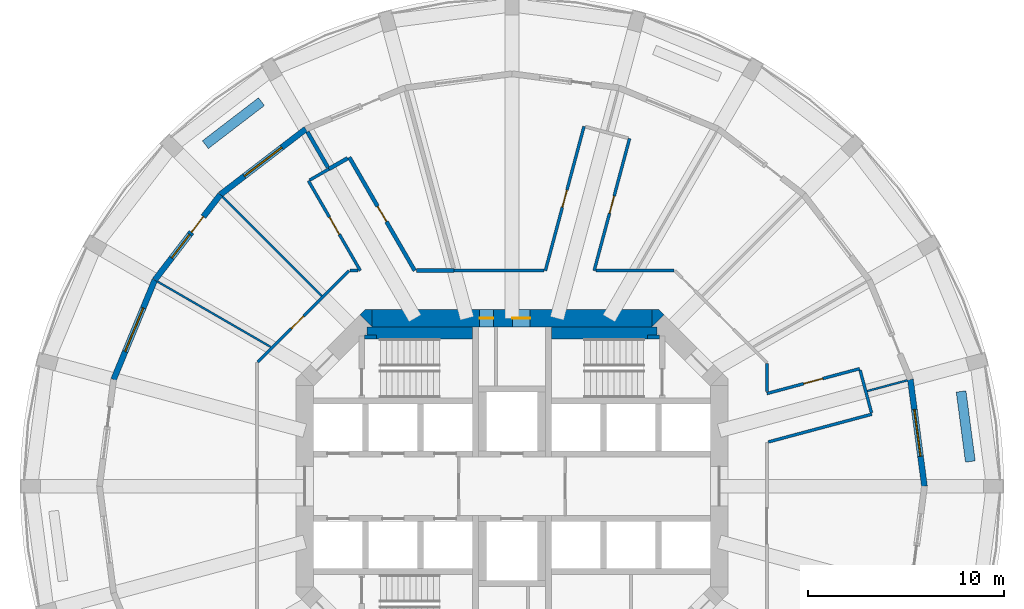
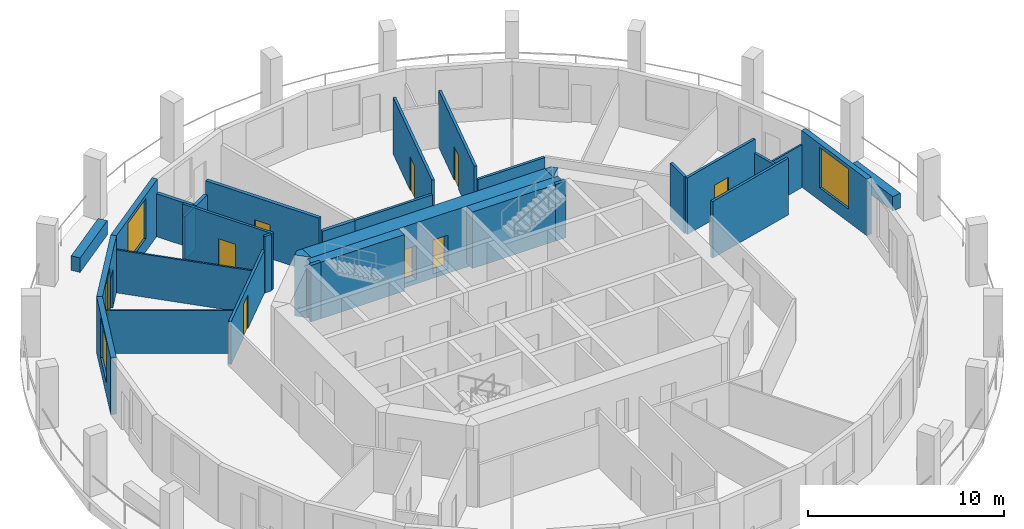
# One storey, part 5 of 8: 32 walls, 9 doors, 4 windows, 13 openings.
"""IFC4 building model written with IfcOpenShell, lengths in metres."""

from ifc_helpers import new_model, si_unit, direction, frame, frame_2d, origin, place, context, subcontext, project, spatial, polyline, rectangle, outline, extrude, material, layer, layer_set, type_object, element, fill, save


model = new_model("IFC4")

# Units and contexts
model_context = context("Model", 3, precision=1e-05, world=origin(), true_north=direction((0.0, 1.0)))
body_context = subcontext(model_context, "Body", "Model", "MODEL_VIEW")
ifc_project = project(units=[si_unit("LENGTHUNIT", "METRE"), si_unit("AREAUNIT", "SQUARE_METRE"), si_unit("VOLUMEUNIT", "CUBIC_METRE"), si_unit("PLANEANGLEUNIT", "RADIAN"), si_unit("MASSUNIT", "GRAM", prefix="KILO")], contexts=[model_context])

# Site, building, storey
site_placement = place(None, origin())
site = spatial("IfcSite", under=ifc_project, at=site_placement, CompositionType="ELEMENT")
building_placement = place(site_placement, origin())
building = spatial("IfcBuilding", under=site, at=building_placement, Name="Torre Triforio", CompositionType="ELEMENT")
storey_placement = place(building_placement, frame((0.0, 0.0, 127.60009765625)))
storey = spatial("IfcBuildingStorey", under=building, at=storey_placement, Name="L28", CompositionType="ELEMENT", Elevation=127.60009765625)

# Wall, openings, doors
ifc_material_1 = material(Name="Concrete C60", Category="concrete")
ifc_layer_1 = layer(ifc_material_1, 0.89990234375)
ifc_layer_set_1 = layer_set([ifc_layer_1], Name="Concrete C60")
wall_type_1 = type_object("IfcWallType", Name="Core wall 900 mm C60 EI 120", PredefinedType="SHEAR", material=ifc_layer_set_1)
wall_1_placement = place(storey_placement, frame((-7.1298828125, 8.550048828125, -0.280029296875), z_axis=(0.0, 0.0, 1.0), x_axis=(1.0, 0.0, 0.0)))
wall_1 = element("IfcWall", 1, at=wall_1_placement, inside=storey, type_object=wall_type_1, Name="Core wall", PredefinedType="SHEAR", context=body_context, shape_type="SweptSolid", body=[
    extrude(rectangle(XDim=14.259765625, YDim=0.89990234375, at=frame_2d((7.1298828125, 0.0))), origin(), (0.0, 0.0, 1.0), 3.800048828125),
])
opening_1_placement = place(wall_1_placement, frame((5.47998046875, 0.0, 0.280029296875)))
opening_1 = element("IfcOpeningElement", 2, at=opening_1_placement, cuts=wall_1, Name="Opening RISER-N", PredefinedType="OPENING", context=body_context, shape_type="SweptSolid", body=[
    extrude(rectangle(XDim=0.699951171875, YDim=2.10009765625, at=frame_2d((0.35009765625, 1.050048828125))), frame((0.0, 0.4599609375, 0.0), z_axis=(0.0, -1.0, 0.0), x_axis=(1.0, 0.0, 0.0)), (0.0, 0.0, 1.0), 0.919921875),
])
opening_2_placement = place(wall_1_placement, frame((7.155029296875, 0.0, 0.280029296875)))
opening_2 = element("IfcOpeningElement", 3, at=opening_2_placement, cuts=wall_1, Name="Opening NE-01", PredefinedType="OPENING", context=body_context, shape_type="SweptSolid", body=[
    extrude(rectangle(XDim=0.89990234375, YDim=2.10009765625, at=frame_2d((0.449951171875, 1.050048828125))), frame((0.0, 0.4599609375, 0.0), z_axis=(0.0, -1.0, 0.0), x_axis=(1.0, 0.0, 0.0)), (0.0, 0.0, 1.0), 0.919921875),
])
ifc_material_2 = material(Name="Hollow metal fire door leaf")
door_type_1 = type_object("IfcDoorType", Name="Riser door 700 x 2100 EI 60", OperationType="NOTDEFINED", PredefinedType="DOOR", material=ifc_material_2)
door_1_placement = place(opening_1_placement, origin())
door_1 = element("IfcDoor", 4, at=door_1_placement, inside=storey, type_object=door_type_1, Name="Core door RISER-N", OperationType="SINGLE_SWING_RIGHT", OverallHeight=2.10009765625, OverallWidth=0.699951171875, PredefinedType="DOOR", context=body_context, shape_type="SweptSolid", body=[
    extrude(rectangle(XDim=0.699951171875, YDim=2.10009765625, at=frame_2d((0.35009765625, 1.050048828125))), frame((0.0, 0.02490234375, 0.0), z_axis=(0.0, -1.0, 0.0), x_axis=(1.0, 0.0, 0.0)), (0.0, 0.0, 1.0), 0.050048828125),
])
fill(opening_1, door_1)
door_type_2 = type_object("IfcDoorType", Name="Room door 900 x 2100 EI 60", OperationType="NOTDEFINED", PredefinedType="DOOR", material=ifc_material_2)
door_2_placement = place(opening_2_placement, origin())
door_2 = element("IfcDoor", 5, at=door_2_placement, inside=storey, type_object=door_type_2, Name="Core door NE-01", OperationType="SINGLE_SWING_RIGHT", OverallHeight=2.10009765625, OverallWidth=0.89990234375, PredefinedType="DOOR", context=body_context, shape_type="SweptSolid", body=[
    extrude(rectangle(XDim=0.89990234375, YDim=2.10009765625, at=frame_2d((0.449951171875, 1.050048828125))), frame((0.0, 0.02490234375, 0.0), z_axis=(0.0, -1.0, 0.0), x_axis=(1.0, 0.0, 0.0)), (0.0, 0.0, 1.0), 0.050048828125),
])
fill(opening_2, door_2)

# Walls
wall_2_placement = place(storey_placement, frame((0.0, 0.0, -0.280029296875)))
element("IfcWall", 6, at=wall_2_placement, inside=storey, type_object=wall_type_1, Name="Core wall", PredefinedType="SHEAR", context=body_context, shape_type="SweptSolid", body=[
    extrude(outline(polyline([(-7.472900390625, 9.0), (-7.1298828125, 9.0), (-7.1298828125, 8.1298828125), (-7.736328125, 8.736328125), (-7.472900390625, 9.0)])), origin(), (0.0, 0.0, 1.0), 3.800048828125),
])
wall_3_placement = place(storey_placement, frame((0.0, 0.0, -0.280029296875)))
element("IfcWall", 7, at=wall_3_placement, inside=storey, type_object=wall_type_1, Name="Core wall", PredefinedType="SHEAR", context=body_context, shape_type="SweptSolid", body=[
    extrude(outline(polyline([(7.472900390625, 9.0), (7.736328125, 8.736328125), (7.1298828125, 8.1298828125), (7.1298828125, 9.0), (7.472900390625, 9.0)])), origin(), (0.0, 0.0, 1.0), 3.800048828125),
])

# Wall, opening, door
ifc_material_3 = material(Name="Plasterboard on metal studs")
ifc_layer_2 = layer(ifc_material_3, 0.14990234375)
ifc_layer_set_2 = layer_set([ifc_layer_2], Name="Plasterboard on metal studs")
wall_type_2 = type_object("IfcWallType", Name="Corridor and tenancy wall 150 mm EI 60", PredefinedType="PARTITIONING", material=ifc_layer_set_2)
wall_4_placement = place(storey_placement, frame((-12.93798828125, 6.327880859375, 0.0), z_axis=(0.0, 0.0, 1.0), x_axis=(0.707088206597, 0.707125355289, 0.0)))
wall_4 = element("IfcWall", 8, at=wall_4_placement, inside=storey, type_object=wall_type_2, Name="Partition 5", PredefinedType="PARTITIONING", context=body_context, shape_type="SweptSolid", body=[
    extrude(rectangle(XDim=6.572021484375, YDim=0.14990234375, at=frame_2d((3.2861328125, 0.0))), origin(), (0.0, 0.0, 1.0), 2.669921875),
])
opening_3_placement = place(wall_4_placement, frame((2.39794921875, 0.0, 0.0)))
opening_3 = element("IfcOpeningElement", 9, at=opening_3_placement, cuts=wall_4, Name="Opening D2-15", PredefinedType="OPENING", context=body_context, shape_type="SweptSolid", body=[
    extrude(rectangle(XDim=0.89990234375, YDim=2.10009765625, at=frame_2d((0.449951171875, 1.050048828125))), frame((0.0, 0.0849609375, 0.0), z_axis=(0.0, -1.0, 0.0), x_axis=(1.0, 0.0, 0.0)), (0.0, 0.0, 1.0), 0.169921875),
])
ifc_material_4 = material(Name="Timber", Category="wood")
door_type_3 = type_object("IfcDoorType", Name="Door 900 x 2100 single leaf EI 30", OperationType="NOTDEFINED", PredefinedType="DOOR", material=ifc_material_4)
door_3_placement = place(opening_3_placement, origin())
door_3 = element("IfcDoor", 10, at=door_3_placement, inside=storey, type_object=door_type_3, Name="Door D2-15", OperationType="SINGLE_SWING_LEFT", OverallHeight=2.10009765625, OverallWidth=0.89990234375, PredefinedType="DOOR", context=body_context, shape_type="SweptSolid", body=[
    extrude(rectangle(XDim=0.89990234375, YDim=2.10009765625, at=frame_2d((0.449951171875, 1.050048828125))), frame((0.0, 0.02490234375, 0.0), z_axis=(0.0, -1.0, 0.0), x_axis=(1.0, 0.0, 0.0)), (0.0, 0.0, 1.0), 0.050048828125),
])
fill(opening_3, door_3)

# Wall
wall_5_placement = place(storey_placement, frame((-8.23828125, 10.97509765625, 0.0), z_axis=(0.0, 0.0, 1.0), x_axis=(1.0, 0.0, 0.0)))
element("IfcWall", 11, at=wall_5_placement, inside=storey, type_object=wall_type_2, Name="Partition 6", PredefinedType="PARTITIONING", context=body_context, shape_type="SweptSolid", body=[
    extrude(rectangle(XDim=0.38623046875, YDim=0.14990234375, at=frame_2d((0.193115234375, 0.0))), origin(), (0.0, 0.0, 1.0), 3.52001953125),
])

# Wall, opening, door
wall_6_placement = place(storey_placement, frame((-7.72216796875, 10.97509765625, 0.0), z_axis=(0.0, 0.0, 1.0), x_axis=(-0.499981143329, 0.866036290415, 0.0)))
wall_6 = element("IfcWall", 12, at=wall_6_placement, inside=storey, type_object=wall_type_2, Name="Partition 7", PredefinedType="PARTITIONING", context=body_context, shape_type="SweptSolid", body=[
    extrude(rectangle(XDim=5.282958984375, YDim=0.14990234375, at=frame_2d((2.6416015625, 0.0))), origin(), (0.0, 0.0, 1.0), 3.52001953125),
])
opening_4_placement = place(wall_6_placement, frame((2.1416015625, 0.0, 0.0)))
opening_4 = element("IfcOpeningElement", 13, at=opening_4_placement, cuts=wall_6, Name="Opening D2-14", PredefinedType="OPENING", context=body_context, shape_type="SweptSolid", body=[
    extrude(rectangle(XDim=1.0, YDim=2.10009765625, at=frame_2d((0.5, 1.050048828125))), frame((0.0, 0.0849609375, 0.0), z_axis=(0.0, -1.0, 0.0), x_axis=(1.0, 0.0, 0.0)), (0.0, 0.0, 1.0), 0.169921875),
])
door_type_4 = type_object("IfcDoorType", Name="Door 1000 x 2100 single leaf EI 30", OperationType="NOTDEFINED", PredefinedType="DOOR", material=ifc_material_4)
door_4_placement = place(opening_4_placement, origin())
door_4 = element("IfcDoor", 14, at=door_4_placement, inside=storey, type_object=door_type_4, Name="Door D2-14", OperationType="SINGLE_SWING_LEFT", OverallHeight=2.10009765625, OverallWidth=1.0, PredefinedType="DOOR", context=body_context, shape_type="SweptSolid", body=[
    extrude(rectangle(XDim=1.0, YDim=2.10009765625, at=frame_2d((0.5, 1.050048828125))), frame((0.0, 0.02490234375, 0.0), z_axis=(0.0, -1.0, 0.0), x_axis=(1.0, 0.0, 0.0)), (0.0, 0.0, 1.0), 0.050048828125),
])
fill(opening_4, door_4)

# Walls
wall_7_placement = place(storey_placement, frame((-10.298583984375, 15.587890625, 0.0), z_axis=(0.0, 0.0, 1.0), x_axis=(0.86599040064, 0.500060622324, 0.0)))
element("IfcWall", 15, at=wall_7_placement, inside=storey, type_object=wall_type_2, Name="Partition 8", PredefinedType="PARTITIONING", context=body_context, shape_type="SweptSolid", body=[
    extrude(rectangle(XDim=1.124755859375, YDim=0.14990234375, at=frame_2d((0.5625, 0.0))), origin(), (0.0, 0.0, 1.0), 2.669921875),
])
wall_8_placement = place(storey_placement, frame((-2.940673828125, 10.97509765625, 0.0), z_axis=(0.0, 0.0, 1.0), x_axis=(1.0, 0.0, 0.0)))
element("IfcWall", 16, at=wall_8_placement, inside=storey, type_object=wall_type_2, Name="Partition 12", PredefinedType="PARTITIONING", context=body_context, shape_type="SweptSolid", body=[
    extrude(rectangle(XDim=4.566650390625, YDim=0.14990234375, at=frame_2d((2.283203125, 0.0))), origin(), (0.0, 0.0, 1.0), 2.669921875),
])

# Wall, opening, door
wall_9_placement = place(storey_placement, frame((1.698486328125, 10.97509765625, 0.0), z_axis=(0.0, 0.0, 1.0), x_axis=(0.258810940308, 0.965927997926, 0.0)))
wall_9 = element("IfcWall", 17, at=wall_9_placement, inside=storey, type_object=wall_type_2, Name="Partition 13", PredefinedType="PARTITIONING", context=body_context, shape_type="SweptSolid", body=[
    extrude(rectangle(XDim=7.60791015625, YDim=0.14990234375, at=frame_2d((3.803955078125, 0.0))), origin(), (0.0, 0.0, 1.0), 3.52001953125),
])
opening_5_placement = place(wall_9_placement, frame((3.35400390625, 0.0, 0.0)))
opening_5 = element("IfcOpeningElement", 18, at=opening_5_placement, cuts=wall_9, Name="Opening D2-12", PredefinedType="OPENING", context=body_context, shape_type="SweptSolid", body=[
    extrude(rectangle(XDim=0.89990234375, YDim=2.10009765625, at=frame_2d((0.449951171875, 1.050048828125))), frame((0.0, 0.0849609375, 0.0), z_axis=(0.0, -1.0, 0.0), x_axis=(1.0, 0.0, 0.0)), (0.0, 0.0, 1.0), 0.169921875),
])
door_5_placement = place(opening_5_placement, origin())
door_5 = element("IfcDoor", 19, at=door_5_placement, inside=storey, type_object=door_type_3, Name="Door D2-12", OperationType="SINGLE_SWING_LEFT", OverallHeight=2.10009765625, OverallWidth=0.89990234375, PredefinedType="DOOR", context=body_context, shape_type="SweptSolid", body=[
    extrude(rectangle(XDim=0.89990234375, YDim=2.10009765625, at=frame_2d((0.449951171875, 1.050048828125))), frame((0.0, 0.02490234375, 0.0), z_axis=(0.0, -1.0, 0.0), x_axis=(1.0, 0.0, 0.0)), (0.0, 0.0, 1.0), 0.050048828125),
])
fill(opening_5, door_5)

wall_10_placement = place(storey_placement, frame((5.98583984375, 17.70263671875, 0.0), z_axis=(0.0, 0.0, 1.0), x_axis=(-0.258831867169, -0.965922390535, 0.0)))
wall_10 = element("IfcWall", 20, at=wall_10_placement, inside=storey, type_object=wall_type_2, Name="Partition 15", PredefinedType="PARTITIONING", context=body_context, shape_type="SweptSolid", body=[
    extrude(rectangle(XDim=6.96484375, YDim=0.14990234375, at=frame_2d((3.482421875, 0.0))), origin(), (0.0, 0.0, 1.0), 3.52001953125),
])
opening_6_placement = place(wall_10_placement, frame((3.032470703125, 0.0, 0.0)))
opening_6 = element("IfcOpeningElement", 21, at=opening_6_placement, cuts=wall_10, Name="Opening D2-11", PredefinedType="OPENING", context=body_context, shape_type="SweptSolid", body=[
    extrude(rectangle(XDim=0.89990234375, YDim=2.10009765625, at=frame_2d((0.449951171875, 1.050048828125))), frame((0.0, 0.0849609375, 0.0), z_axis=(0.0, -1.0, 0.0), x_axis=(1.0, 0.0, 0.0)), (0.0, 0.0, 1.0), 0.169921875),
])
door_6_placement = place(opening_6_placement, origin())
door_6 = element("IfcDoor", 22, at=door_6_placement, inside=storey, type_object=door_type_3, Name="Door D2-11", OperationType="SINGLE_SWING_LEFT", OverallHeight=2.10009765625, OverallWidth=0.89990234375, PredefinedType="DOOR", context=body_context, shape_type="SweptSolid", body=[
    extrude(rectangle(XDim=0.89990234375, YDim=2.10009765625, at=frame_2d((0.449951171875, 1.050048828125))), frame((0.0, 0.02490234375, 0.0), z_axis=(0.0, -1.0, 0.0), x_axis=(1.0, 0.0, 0.0)), (0.0, 0.0, 1.0), 0.050048828125),
])
fill(opening_6, door_6)

# Walls
wall_11_placement = place(storey_placement, frame((4.280517578125, 10.97509765625, 0.0), z_axis=(0.0, 0.0, 1.0), x_axis=(1.0, 0.0, 0.0)))
element("IfcWall", 23, at=wall_11_placement, inside=storey, type_object=wall_type_2, Name="Partition 16", PredefinedType="PARTITIONING", context=body_context, shape_type="SweptSolid", body=[
    extrude(rectangle(XDim=3.957763671875, YDim=0.14990234375, at=frame_2d((1.97900390625, 0.0))), origin(), (0.0, 0.0, 1.0), 2.669921875),
])
wall_12_placement = place(storey_placement, frame((12.97509765625, 6.23828125, 0.0), z_axis=(0.0, 0.0, 1.0), x_axis=(0.0, -1.0, 0.0)))
element("IfcWall", 24, at=wall_12_placement, inside=storey, type_object=wall_type_2, Name="Partition 18", PredefinedType="PARTITIONING", context=body_context, shape_type="SweptSolid", body=[
    extrude(rectangle(XDim=1.421875, YDim=0.14990234375, at=frame_2d((0.7109375, 0.0))), origin(), (0.0, 0.0, 1.0), 3.52001953125),
])

# Wall, opening, door
wall_13_placement = place(storey_placement, frame((12.97509765625, 4.718994140625, 0.0), z_axis=(0.0, 0.0, 1.0), x_axis=(0.965920440817, 0.258839143121, 0.0)))
wall_13 = element("IfcWall", 25, at=wall_13_placement, inside=storey, type_object=wall_type_2, Name="Partition 19", PredefinedType="PARTITIONING", context=body_context, shape_type="SweptSolid", body=[
    extrude(rectangle(XDim=4.894287109375, YDim=0.14990234375, at=frame_2d((2.447265625, 0.0))), origin(), (0.0, 0.0, 1.0), 3.52001953125),
])
opening_7_placement = place(wall_13_placement, frame((1.947265625, 0.0, 0.0)))
opening_7 = element("IfcOpeningElement", 26, at=opening_7_placement, cuts=wall_13, Name="Opening D2-08", PredefinedType="OPENING", context=body_context, shape_type="SweptSolid", body=[
    extrude(rectangle(XDim=1.0, YDim=2.10009765625, at=frame_2d((0.5, 1.050048828125))), frame((0.0, 0.0849609375, 0.0), z_axis=(0.0, -1.0, 0.0), x_axis=(1.0, 0.0, 0.0)), (0.0, 0.0, 1.0), 0.169921875),
])
door_7_placement = place(opening_7_placement, origin())
door_7 = element("IfcDoor", 27, at=door_7_placement, inside=storey, type_object=door_type_4, Name="Door D2-08", OperationType="SINGLE_SWING_LEFT", OverallHeight=2.10009765625, OverallWidth=1.0, PredefinedType="DOOR", context=body_context, shape_type="SweptSolid", body=[
    extrude(rectangle(XDim=1.0, YDim=2.10009765625, at=frame_2d((0.5, 1.050048828125))), frame((0.0, 0.02490234375, 0.0), z_axis=(0.0, -1.0, 0.0), x_axis=(1.0, 0.0, 0.0)), (0.0, 0.0, 1.0), 0.050048828125),
])
fill(opening_7, door_7)

# Walls
wall_14_placement = place(storey_placement, frame((17.72216796875, 5.913330078125, 0.0), z_axis=(0.0, 0.0, 1.0), x_axis=(0.25879032241, -0.965933522054, 0.0)))
element("IfcWall", 28, at=wall_14_placement, inside=storey, type_object=wall_type_2, Name="Partition 20", PredefinedType="PARTITIONING", context=body_context, shape_type="SweptSolid", body=[
    extrude(rectangle(XDim=2.25, YDim=0.14990234375, at=frame_2d((1.125, 0.0))), origin(), (0.0, 0.0, 1.0), 2.669921875),
])
wall_15_placement = place(storey_placement, frame((18.32373046875, 3.66748046875, 0.0), z_axis=(0.0, 0.0, 1.0), x_axis=(-0.965932498402, -0.258794143153, 0.0)))
element("IfcWall", 29, at=wall_15_placement, inside=storey, type_object=wall_type_2, Name="Partition 21", PredefinedType="PARTITIONING", context=body_context, shape_type="SweptSolid", body=[
    extrude(rectangle(XDim=5.465087890625, YDim=0.14990234375, at=frame_2d((2.732421875, 0.0))), origin(), (0.0, 0.0, 1.0), 3.52001953125),
])
ifc_layer_3 = layer(ifc_material_3, 0.10009765625)
ifc_layer_set_3 = layer_set([ifc_layer_3], Name="Plasterboard on metal studs")
wall_type_3 = type_object("IfcWallType", Name="Partition 100 mm board on metal studs", PredefinedType="PARTITIONING", material=ifc_layer_set_3)
wall_16_placement = place(storey_placement, frame((18.085693359375, 4.84619140625, 0.0), z_axis=(0.0, 0.0, 1.0), x_axis=(0.965956301772, 0.258705282257, 0.0)))
element("IfcWall", 30, at=wall_16_placement, inside=storey, type_object=wall_type_3, Name="Partition 31", PredefinedType="PARTITIONING", context=body_context, shape_type="SweptSolid", body=[
    extrude(rectangle(XDim=2.113037109375, YDim=0.10009765625, at=frame_2d((1.056640625, 0.0))), origin(), (0.0, 0.0, 1.0), 2.669921875),
])
wall_17_placement = place(storey_placement, frame((-9.68603515625, 9.68603515625, 0.0), z_axis=(0.0, 0.0, 1.0), x_axis=(-0.707106781187, 0.707106781187, 0.0)))
element("IfcWall", 31, at=wall_17_placement, inside=storey, type_object=wall_type_3, Name="Partition 38", PredefinedType="PARTITIONING", context=body_context, shape_type="SweptSolid", body=[
    extrude(rectangle(XDim=7.138671875, YDim=0.10009765625, at=frame_2d((3.5693359375, 0.0))), origin(), (0.0, 0.0, 1.0), 2.669921875),
])
wall_18_placement = place(storey_placement, frame((-12.294189453125, 7.097900390625, 0.0), z_axis=(0.0, 0.0, 1.0), x_axis=(-0.866010486135, 0.500025837236, 0.0)))
element("IfcWall", 32, at=wall_18_placement, inside=storey, type_object=wall_type_3, Name="Partition 39", PredefinedType="PARTITIONING", context=body_context, shape_type="SweptSolid", body=[
    extrude(rectangle(XDim=6.640869140625, YDim=0.10009765625, at=frame_2d((3.3203125, 0.0))), origin(), (0.0, 0.0, 1.0), 2.669921875),
])
ifc_material_5 = material(Name="Masonry block", Category="masonry")
ifc_layer_4 = layer(ifc_material_5, 0.199951171875)
ifc_layer_set_4 = layer_set([ifc_layer_4], Name="Masonry block")
wall_type_4 = type_object("IfcWallType", Name="Plant room wall 200 mm block EI 120", PredefinedType="PARTITIONING", material=ifc_layer_set_4)
wall_19_placement = place(storey_placement, frame((-9.324462890625, 16.150390625, 0.0), z_axis=(0.0, 0.0, 1.0), x_axis=(0.866159722779, 0.499767280476, 0.0)))
element("IfcWall", 33, at=wall_19_placement, inside=storey, type_object=wall_type_4, Name="Partition 9", PredefinedType="PARTITIONING", context=body_context, shape_type="SweptSolid", body=[
    extrude(rectangle(XDim=1.10009765625, YDim=0.199951171875, at=frame_2d((0.550048828125, 0.0))), origin(), (0.0, 0.0, 1.0), 2.669921875),
])

# Wall, opening, door
wall_20_placement = place(storey_placement, frame((-8.28515625, 16.750244140625, 0.0), z_axis=(0.0, 0.0, 1.0), x_axis=(0.500021399824, -0.866013048238, 0.0)))
wall_20 = element("IfcWall", 34, at=wall_20_placement, inside=storey, type_object=wall_type_4, Name="Partition 10", PredefinedType="PARTITIONING", context=body_context, shape_type="SweptSolid", body=[
    extrude(rectangle(XDim=6.668701171875, YDim=0.199951171875, at=frame_2d((3.33447265625, 0.0))), origin(), (0.0, 0.0, 1.0), 3.52001953125),
])
opening_8_placement = place(wall_20_placement, frame((2.88427734375, 0.0, 0.0)))
opening_8 = element("IfcOpeningElement", 35, at=opening_8_placement, cuts=wall_20, Name="Opening D2-13", PredefinedType="OPENING", context=body_context, shape_type="SweptSolid", body=[
    extrude(rectangle(XDim=0.89990234375, YDim=2.10009765625, at=frame_2d((0.449951171875, 1.050048828125))), frame((0.0, 0.10986328125, 0.0), z_axis=(0.0, -1.0, 0.0), x_axis=(1.0, 0.0, 0.0)), (0.0, 0.0, 1.0), 0.219970703125),
])
door_type_5 = type_object("IfcDoorType", Name="Door 900 x 2100 single leaf EI 60", OperationType="NOTDEFINED", PredefinedType="DOOR", material=ifc_material_2)
door_8_placement = place(opening_8_placement, origin())
door_8 = element("IfcDoor", 36, at=door_8_placement, inside=storey, type_object=door_type_5, Name="Door D2-13", OperationType="SINGLE_SWING_LEFT", OverallHeight=2.10009765625, OverallWidth=0.89990234375, PredefinedType="DOOR", context=body_context, shape_type="SweptSolid", body=[
    extrude(rectangle(XDim=0.89990234375, YDim=2.10009765625, at=frame_2d((0.449951171875, 1.050048828125))), frame((0.0, 0.02490234375, 0.0), z_axis=(0.0, -1.0, 0.0), x_axis=(1.0, 0.0, 0.0)), (0.0, 0.0, 1.0), 0.050048828125),
])
fill(opening_8, door_8)

# Walls
wall_21_placement = place(storey_placement, frame((-4.86328125, 10.97509765625, 0.0), z_axis=(0.0, 0.0, 1.0), x_axis=(1.0, 0.0, 0.0)))
element("IfcWall", 37, at=wall_21_placement, inside=storey, type_object=wall_type_4, Name="Partition 11", PredefinedType="PARTITIONING", context=body_context, shape_type="SweptSolid", body=[
    extrude(rectangle(XDim=1.922607421875, YDim=0.199951171875, at=frame_2d((0.96142578125, 0.0))), origin(), (0.0, 0.0, 1.0), 2.669921875),
])
wall_22_placement = place(storey_placement, frame((-9.37451171875, 16.23681640625, 0.0), z_axis=(0.0, 0.0, 1.0), x_axis=(-0.499961989906, 0.86604734781, 0.0)))
element("IfcWall", 38, at=wall_22_placement, inside=storey, type_object=wall_type_4, Name="Partition 37", PredefinedType="PARTITIONING", context=body_context, shape_type="SweptSolid", body=[
    extrude(rectangle(XDim=2.088134765625, YDim=0.199951171875, at=frame_2d((1.0439453125, 0.0))), origin(), (0.0, 0.0, 1.0), 2.669921875),
])
ifc_material_6 = material(Name="Limestone cladding", Category="masonry")
ifc_layer_5 = layer(ifc_material_6, 0.10009765625)
ifc_material_7 = material(Name="Concrete C40", Category="concrete")
ifc_layer_6 = layer(ifc_material_7, 0.39990234375)
ifc_layer_set_5 = layer_set([ifc_layer_5, ifc_layer_6], Name="Limestone cladding / Concrete C40")
wall_type_5 = type_object("IfcWallType", Name="Planter wall 500", PredefinedType="PARAPET", material=ifc_layer_set_5)
for number, where, z_axis, x_axis, name in (
    (39, (23.335693359375, 1.256591796875, 0.0), (0.0, 0.0, 1.0), (-0.130542222659, 0.991442750795, 0.0), "Planter L28 bay 01"),
    (40, (-12.756103515625, 19.580810546875, 0.0), (0.0, 0.0, 1.0), (-0.793384730612, -0.608720518162, 0.0), "Planter L28 bay 09"),
):
    element("IfcWall", number, at=place(storey_placement, frame(where, z_axis=z_axis, x_axis=x_axis)), inside=storey, type_object=wall_type_5, Name=name, PredefinedType="PARAPET", context=body_context, shape_type="SweptSolid", body=[
        extrude(rectangle(XDim=3.60009765625, YDim=0.5, at=frame_2d((1.800048828125, 0.0))), origin(), (0.0, 0.0, 1.0), 0.89990234375),
    ])
ifc_layer_7 = layer(ifc_material_1, 0.199951171875)
ifc_layer_set_6 = layer_set([ifc_layer_7], Name="Concrete C60")
wall_type_6 = type_object("IfcWallType", Name="Stair wall 200 mm C60 EI 120", PredefinedType="SHEAR", material=ifc_layer_set_6)
for number, where, z_axis, x_axis, name in (
    (41, (-7.5, 7.60009765625, 0.0), (0.0, 0.0, 1.0), (1.0, 0.0, 0.0), "Stair wall"),
    (42, (6.89990234375, 7.60009765625, 0.0), (0.0, 0.0, 1.0), (1.0, 0.0, 0.0), "Stair wall"),
):
    element("IfcWall", number, at=place(storey_placement, frame(where, z_axis=z_axis, x_axis=x_axis)), inside=storey, type_object=wall_type_6, Name=name, PredefinedType="SHEAR", context=body_context, shape_type="SweptSolid", body=[
        extrude(rectangle(XDim=0.60009765625, YDim=0.199951171875, at=frame_2d((0.300048828125, 0.0))), origin(), (0.0, 0.0, 1.0), 3.52001953125),
    ])
ifc_layer_8 = layer(ifc_material_1, 0.60009765625)
ifc_layer_set_7 = layer_set([ifc_layer_8], Name="Concrete C60")
wall_type_7 = type_object("IfcWallType", Name="Stair wall 600 mm C60 EI 120", PredefinedType="SHEAR", material=ifc_layer_set_7)
for number, where, z_axis, x_axis, name in (
    (43, (-7.3701171875, 7.800048828125, 0.0), (0.0, 0.0, 1.0), (1.0, 0.0, 0.0), "Stair wall"),
    (44, (2.0, 7.800048828125, 0.0), (0.0, 0.0, 1.0), (1.0, 0.0, 0.0), "Stair wall"),
):
    element("IfcWall", number, at=place(storey_placement, frame(where, z_axis=z_axis, x_axis=x_axis)), inside=storey, type_object=wall_type_7, Name=name, PredefinedType="SHEAR", context=body_context, shape_type="SweptSolid", body=[
        extrude(rectangle(XDim=5.3701171875, YDim=0.60009765625, at=frame_2d((2.68505859375, 0.0))), origin(), (0.0, 0.0, 1.0), 3.52001953125),
    ])

# Wall, opening, window
ifc_layer_9 = layer(ifc_material_6, 0.10009765625)
ifc_layer_10 = layer(ifc_material_7, 0.199951171875)
ifc_layer_set_8 = layer_set([ifc_layer_9, ifc_layer_10], Name="Limestone cladding / Concrete C40")
wall_type_8 = type_object("IfcWallType", Name="Stone-faced composite wall 300", PredefinedType="STANDARD", material=ifc_layer_set_8)
wall_23_placement = place(storey_placement, frame((21.0, 0.0, 0.0), z_axis=(0.0, 0.0, 1.0), x_axis=(-0.130527087244, 0.991444743541, 0.0)))
wall_23 = element("IfcWall", 45, at=wall_23_placement, inside=storey, type_object=wall_type_8, Name="External wall L28 bay 01", PredefinedType="STANDARD", context=body_context, shape_type="SweptSolid", body=[
    extrude(rectangle(XDim=5.482177734375, YDim=0.300048828125, at=frame_2d((2.7412109375, 0.0))), origin(), (0.0, 0.0, 1.0), 3.52001953125),
])
opening_9_placement = place(wall_23_placement, frame((1.541015625, 0.0, 0.800048828125)))
opening_9 = element("IfcOpeningElement", 46, at=opening_9_placement, cuts=wall_23, Name="Opening D2-W01", PredefinedType="OPENING", context=body_context, shape_type="SweptSolid", body=[
    extrude(rectangle(XDim=2.39990234375, YDim=2.5, at=frame_2d((1.199951171875, 1.25))), frame((0.0, 0.159912109375, 0.0), z_axis=(0.0, -1.0, 0.0), x_axis=(1.0, 0.0, 0.0)), (0.0, 0.0, 1.0), 0.320068359375),
])
ifc_material_8 = material(Name="Aluminium frame with clear double glazing", Category="aluminium")
window_type_1 = type_object("IfcWindowType", Name="Punched window 2400 x 2500", PartitioningType="DOUBLE_PANEL_VERTICAL", PredefinedType="WINDOW", material=ifc_material_8)
window_1_placement = place(opening_9_placement, origin())
window_1 = element("IfcWindow", 47, at=window_1_placement, inside=storey, type_object=window_type_1, Name="Window EWN3 L28 bay 01", OverallHeight=2.5, OverallWidth=2.39990234375, PartitioningType="SINGLE_PANEL", PredefinedType="WINDOW", context=body_context, shape_type="SweptSolid", body=[
    extrude(rectangle(XDim=2.39990234375, YDim=2.5, at=frame_2d((1.199951171875, 1.25))), frame((0.0, 0.030029296875, 0.0), z_axis=(0.0, -1.0, 0.0), x_axis=(1.0, 0.0, 0.0)), (0.0, 0.0, 1.0), 0.06005859375),
])
fill(opening_9, window_1)

wall_24_placement = place(storey_placement, frame((-10.5, 18.1865234375, 0.0), z_axis=(0.0, 0.0, 1.0), x_axis=(-0.793335336593, -0.608784891166, 0.0)))
wall_24 = element("IfcWall", 48, at=wall_24_placement, inside=storey, type_object=wall_type_8, Name="External wall L28 bay 09", PredefinedType="STANDARD", context=body_context, shape_type="SweptSolid", body=[
    extrude(rectangle(XDim=5.482177734375, YDim=0.300048828125, at=frame_2d((2.7412109375, 0.0))), origin(), (0.0, 0.0, 1.0), 3.52001953125),
])
opening_10_placement = place(wall_24_placement, frame((1.541015625, 0.0, 0.800048828125)))
opening_10 = element("IfcOpeningElement", 49, at=opening_10_placement, cuts=wall_24, Name="Opening D2-W09", PredefinedType="OPENING", context=body_context, shape_type="SweptSolid", body=[
    extrude(rectangle(XDim=2.39990234375, YDim=2.5, at=frame_2d((1.199951171875, 1.25))), frame((0.0, 0.159912109375, 0.0), z_axis=(0.0, -1.0, 0.0), x_axis=(1.0, 0.0, 0.0)), (0.0, 0.0, 1.0), 0.320068359375),
])
window_2_placement = place(opening_10_placement, origin())
window_2 = element("IfcWindow", 50, at=window_2_placement, inside=storey, type_object=window_type_1, Name="Window EWN3 L28 bay 09", OverallHeight=2.5, OverallWidth=2.39990234375, PartitioningType="SINGLE_PANEL", PredefinedType="WINDOW", context=body_context, shape_type="SweptSolid", body=[
    extrude(rectangle(XDim=2.39990234375, YDim=2.5, at=frame_2d((1.199951171875, 1.25))), frame((0.0, 0.030029296875, 0.0), z_axis=(0.0, -1.0, 0.0), x_axis=(1.0, 0.0, 0.0)), (0.0, 0.0, 1.0), 0.06005859375),
])
fill(opening_10, window_2)

# Wall, openings, door, window
wall_25_placement = place(storey_placement, frame((-14.84912109375, 14.84912109375, 0.0), z_axis=(0.0, 0.0, 1.0), x_axis=(-0.608784891166, -0.793335336593, 0.0)))
wall_25 = element("IfcWall", 51, at=wall_25_placement, inside=storey, type_object=wall_type_8, Name="External wall L28 bay 10", PredefinedType="STANDARD", context=body_context, shape_type="SweptSolid", body=[
    extrude(rectangle(XDim=5.482177734375, YDim=0.300048828125, at=frame_2d((2.7412109375, 0.0))), origin(), (0.0, 0.0, 1.0), 3.52001953125),
])
opening_11_placement = place(wall_25_placement, frame((1.416015625, 0.0, 0.0)))
opening_11 = element("IfcOpeningElement", 52, at=opening_11_placement, cuts=wall_25, Name="Opening D2-D10", PredefinedType="OPENING", context=body_context, shape_type="SweptSolid", body=[
    extrude(rectangle(XDim=1.0, YDim=2.39990234375, at=frame_2d((0.5, 1.199951171875))), frame((0.0, 0.159912109375, 0.0), z_axis=(0.0, -1.0, 0.0), x_axis=(1.0, 0.0, 0.0)), (0.0, 0.0, 1.0), 0.320068359375),
])
opening_12_placement = place(wall_25_placement, frame((2.56591796875, 0.0, 0.800048828125)))
opening_12 = element("IfcOpeningElement", 53, at=opening_12_placement, cuts=wall_25, Name="Opening D2-W10A", PredefinedType="OPENING", context=body_context, shape_type="SweptSolid", body=[
    extrude(rectangle(XDim=1.5, YDim=2.5, at=frame_2d((0.75, 1.25))), frame((0.0, 0.159912109375, 0.0), z_axis=(0.0, -1.0, 0.0), x_axis=(1.0, 0.0, 0.0)), (0.0, 0.0, 1.0), 0.320068359375),
])
door_type_6 = type_object("IfcDoorType", Name="Loggia door 1000 x 2400", OperationType="NOTDEFINED", PredefinedType="DOOR", material=ifc_material_8)
door_9_placement = place(opening_11_placement, origin())
door_9 = element("IfcDoor", 54, at=door_9_placement, inside=storey, type_object=door_type_6, Name="Loggia door L28 bay 10", OperationType="SINGLE_SWING_LEFT", OverallHeight=2.39990234375, OverallWidth=1.0, PredefinedType="DOOR", context=body_context, shape_type="SweptSolid", body=[
    extrude(rectangle(XDim=1.0, YDim=2.39990234375, at=frame_2d((0.5, 1.199951171875))), frame((0.0, 0.02490234375, 0.0), z_axis=(0.0, -1.0, 0.0), x_axis=(1.0, 0.0, 0.0)), (0.0, 0.0, 1.0), 0.050048828125),
])
fill(opening_11, door_9)
window_type_2 = type_object("IfcWindowType", Name="Side window 1500 x 2500", PartitioningType="SINGLE_PANEL", PredefinedType="WINDOW", material=ifc_material_8)
window_3_placement = place(opening_12_placement, origin())
window_3 = element("IfcWindow", 55, at=window_3_placement, inside=storey, type_object=window_type_2, Name="Side window EWN13 L28 bay 10", OverallHeight=2.5, OverallWidth=1.5, PartitioningType="SINGLE_PANEL", PredefinedType="WINDOW", context=body_context, shape_type="SweptSolid", body=[
    extrude(rectangle(XDim=1.5, YDim=2.5, at=frame_2d((0.75, 1.25))), frame((0.0, 0.030029296875, 0.0), z_axis=(0.0, -1.0, 0.0), x_axis=(1.0, 0.0, 0.0)), (0.0, 0.0, 1.0), 0.06005859375),
])
fill(opening_12, window_3)

# Wall, opening, window
wall_26_placement = place(storey_placement, frame((-18.1865234375, 10.5, 0.0), z_axis=(0.0, 0.0, 1.0), x_axis=(-0.382688740813, -0.923877333662, 0.0)))
wall_26 = element("IfcWall", 56, at=wall_26_placement, inside=storey, type_object=wall_type_8, Name="External wall L28 bay 11", PredefinedType="STANDARD", context=body_context, shape_type="SweptSolid", body=[
    extrude(rectangle(XDim=5.48193359375, YDim=0.300048828125, at=frame_2d((2.740966796875, 0.0))), origin(), (0.0, 0.0, 1.0), 3.52001953125),
])
opening_13_placement = place(wall_26_placement, frame((1.541015625, 0.0, 0.800048828125)))
opening_13 = element("IfcOpeningElement", 57, at=opening_13_placement, cuts=wall_26, Name="Opening D2-W11", PredefinedType="OPENING", context=body_context, shape_type="SweptSolid", body=[
    extrude(rectangle(XDim=2.39990234375, YDim=2.5, at=frame_2d((1.199951171875, 1.25))), frame((0.0, 0.159912109375, 0.0), z_axis=(0.0, -1.0, 0.0), x_axis=(1.0, 0.0, 0.0)), (0.0, 0.0, 1.0), 0.320068359375),
])
window_4_placement = place(opening_13_placement, origin())
window_4 = element("IfcWindow", 58, at=window_4_placement, inside=storey, type_object=window_type_1, Name="Window EWN3 L28 bay 11", OverallHeight=2.5, OverallWidth=2.39990234375, PartitioningType="SINGLE_PANEL", PredefinedType="WINDOW", context=body_context, shape_type="SweptSolid", body=[
    extrude(rectangle(XDim=2.39990234375, YDim=2.5, at=frame_2d((1.199951171875, 1.25))), frame((0.0, 0.030029296875, 0.0), z_axis=(0.0, -1.0, 0.0), x_axis=(1.0, 0.0, 0.0)), (0.0, 0.0, 1.0), 0.06005859375),
])
fill(opening_13, window_4)

save(model, "model.ifc")
